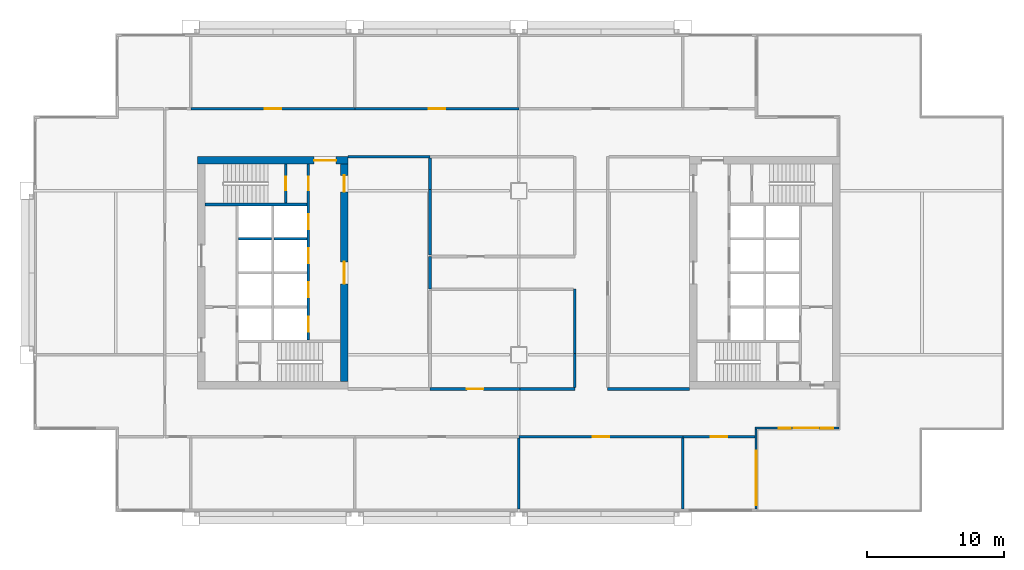
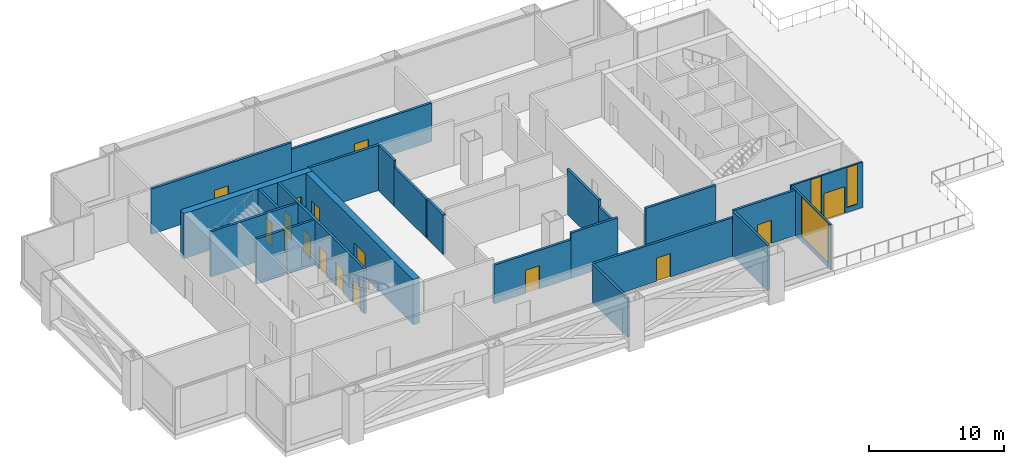
# One storey, part 3 of 6: 24 walls, 15 doors, 3 windows, 18 openings.
"""IFC4 building model written with IfcOpenShell, lengths in metres."""

from ifc_helpers import new_model, si_unit, direction, frame, frame_2d, origin, place, context, subcontext, project, spatial, rectangle, extrude, material, layer, layer_set, type_object, element, fill, save


model = new_model("IFC4")

# Units and contexts
model_context = context("Model", 3, precision=1e-05, world=origin(), true_north=direction((0.0, 1.0)))
body_context = subcontext(model_context, "Body", "Model", "MODEL_VIEW")
ifc_project = project(units=[si_unit("LENGTHUNIT", "METRE"), si_unit("AREAUNIT", "SQUARE_METRE"), si_unit("VOLUMEUNIT", "CUBIC_METRE"), si_unit("PLANEANGLEUNIT", "RADIAN"), si_unit("MASSUNIT", "GRAM", prefix="KILO")], contexts=[model_context])

# Site, building, storey
site_placement = place(None, origin())
site = spatial("IfcSite", under=ifc_project, at=site_placement, CompositionType="ELEMENT")
building_placement = place(site_placement, origin())
building = spatial("IfcBuilding", under=site, at=building_placement, Name="Kitamizu Gate Tower and Museum", CompositionType="ELEMENT")
storey_placement = place(building_placement, frame((0.0, 0.0, 153.75)))
storey = spatial("IfcBuildingStorey", under=building, at=storey_placement, Name="L40", CompositionType="ELEMENT", Elevation=153.75)

# Wall, opening, door
ifc_material_1 = material(Name="Concrete Fc42", Category="concrete")
ifc_layer_1 = layer(ifc_material_1, 0.550048828125)
ifc_layer_set_1 = layer_set([ifc_layer_1], Name="Concrete Fc42")
wall_type_1 = type_object("IfcWallType", Name="Core wall 550", PredefinedType="SHEAR", material=ifc_layer_set_1)
wall_1_placement = place(storey_placement, frame((12.5, 38.22509765625, 0.0), z_axis=(0.0, 0.0, 1.0), x_axis=(1.0, 0.0, 0.0)))
wall_1 = element("IfcWall", 1, at=wall_1_placement, inside=storey, type_object=wall_type_1, Name="Core wall WN", PredefinedType="SHEAR", context=body_context, shape_type="SweptSolid", body=[
    extrude(rectangle(XDim=11.0, YDim=0.550048828125, at=frame_2d((5.5, 0.0))), origin(), (0.0, 0.0, 1.0), 4.10009765625),
])
opening_1_placement = place(wall_1_placement, frame((8.52490234375, 0.0, 0.0)))
opening_1 = element("IfcOpeningElement", 2, at=opening_1_placement, cuts=wall_1, Name="Opening L40-025", PredefinedType="OPENING", context=body_context, shape_type="SweptSolid", body=[
    extrude(rectangle(XDim=1.60009765625, YDim=2.10009765625, at=frame_2d((0.800048828125, 1.050048828125))), frame((0.0, 0.28515625, 0.0), z_axis=(0.0, -1.0, 0.0), x_axis=(1.0, 0.0, 0.0)), (0.0, 0.0, 1.0), 0.570068359375),
])
ifc_material_2 = material(Name="Timber door set", Category="wood")
door_type_1 = type_object("IfcDoorType", Name="Entrance door 1600", OperationType="DOUBLE_DOOR_SINGLE_SWING", PredefinedType="DOOR", material=ifc_material_2)
door_1_placement = place(opening_1_placement, origin())
door_1 = element("IfcDoor", 3, at=door_1_placement, inside=storey, type_object=door_type_1, Name="Lobby door L40-025", OperationType="DOUBLE_DOOR_SINGLE_SWING", OverallHeight=2.10009765625, OverallWidth=1.60009765625, PredefinedType="DOOR", context=body_context, shape_type="SweptSolid", body=[
    extrude(rectangle(XDim=1.60009765625, YDim=2.10009765625, at=frame_2d((0.800048828125, 1.050048828125))), frame((0.0, 0.02490234375, 0.0), z_axis=(0.0, -1.0, 0.0), x_axis=(1.0, 0.0, 0.0)), (0.0, 0.0, 1.0), 0.050048828125),
])
fill(opening_1, door_1)

# Wall, openings, doors
wall_2_placement = place(storey_placement, frame((23.22509765625, 22.050048828125, 0.0), z_axis=(0.0, 0.0, 1.0), x_axis=(0.0, 1.0, 0.0)))
wall_2 = element("IfcWall", 4, at=wall_2_placement, inside=storey, type_object=wall_type_1, Name="Core wall WARC", PredefinedType="SHEAR", context=body_context, shape_type="SweptSolid", body=[
    extrude(rectangle(XDim=15.89990234375, YDim=0.550048828125, at=frame_2d((7.949951171875, 0.0))), origin(), (0.0, 0.0, 1.0), 4.10009765625),
])
opening_2_placement = place(wall_2_placement, frame((7.14990234375, 0.0, 0.0)))
opening_2 = element("IfcOpeningElement", 5, at=opening_2_placement, cuts=wall_2, Name="Opening L40-026", PredefinedType="OPENING", context=body_context, shape_type="SweptSolid", body=[
    extrude(rectangle(XDim=1.60009765625, YDim=2.10009765625, at=frame_2d((0.800048828125, 1.050048828125))), frame((0.0, 0.28515625, 0.0), z_axis=(0.0, -1.0, 0.0), x_axis=(1.0, 0.0, 0.0)), (0.0, 0.0, 1.0), 0.570068359375),
])
opening_3_placement = place(wall_2_placement, frame((13.875, 0.0, 0.0)))
opening_3 = element("IfcOpeningElement", 6, at=opening_3_placement, cuts=wall_2, Name="Opening L40-027", PredefinedType="OPENING", context=body_context, shape_type="SweptSolid", body=[
    extrude(rectangle(XDim=1.199951171875, YDim=2.10009765625, at=frame_2d((0.60009765625, 1.050048828125))), frame((0.0, 0.28515625, 0.0), z_axis=(0.0, -1.0, 0.0), x_axis=(1.0, 0.0, 0.0)), (0.0, 0.0, 1.0), 0.570068359375),
])
door_2_placement = place(opening_2_placement, origin())
door_2 = element("IfcDoor", 7, at=door_2_placement, inside=storey, type_object=door_type_1, Name="Lobby door L40-026", OperationType="DOUBLE_DOOR_SINGLE_SWING", OverallHeight=2.10009765625, OverallWidth=1.60009765625, PredefinedType="DOOR", context=body_context, shape_type="SweptSolid", body=[
    extrude(rectangle(XDim=1.60009765625, YDim=2.10009765625, at=frame_2d((0.800048828125, 1.050048828125))), frame((0.0, 0.02490234375, 0.0), z_axis=(0.0, -1.0, 0.0), x_axis=(1.0, 0.0, 0.0)), (0.0, 0.0, 1.0), 0.050048828125),
])
fill(opening_2, door_2)
ifc_material_3 = material(Name="Timber door set", Category="wood")
door_type_2 = type_object("IfcDoorType", Name="Refuge door 1200", OperationType="NOTDEFINED", PredefinedType="DOOR", material=ifc_material_3)
door_3_placement = place(opening_3_placement, frame((1.199951171875, 0.0, 0.0), x_axis=(-1.0, 0.0, 0.0)))
door_3 = element("IfcDoor", 8, at=door_3_placement, inside=storey, type_object=door_type_2, Name="Refuge door L40-027", OperationType="SINGLE_SWING_RIGHT", OverallHeight=2.10009765625, OverallWidth=1.199951171875, PredefinedType="DOOR", context=body_context, shape_type="SweptSolid", body=[
    extrude(rectangle(XDim=1.199951171875, YDim=2.10009765625, at=frame_2d((0.60009765625, 1.050048828125))), frame((0.0, 0.02490234375, 0.0), z_axis=(0.0, -1.0, 0.0), x_axis=(1.0, 0.0, 0.0)), (0.0, 0.0, 1.0), 0.050048828125),
])
fill(opening_3, door_3)

# Walls
ifc_material_4 = material(Name="Gypsum board on galvanised stud")
ifc_layer_2 = layer(ifc_material_4, 0.199951171875)
ifc_layer_set_2 = layer_set([ifc_layer_2], Name="Gypsum board on galvanised stud")
wall_type_2 = type_object("IfcWallType", Name="Partition 200", PredefinedType="PARTITIONING", material=ifc_layer_set_2)
wall_3_placement = place(storey_placement, frame((29.5, 38.5, 0.0), z_axis=(0.0, 0.0, 1.0), x_axis=(-1.0, 0.0, 0.0)))
element("IfcWall", 9, at=wall_3_placement, inside=storey, type_object=wall_type_2, Name="Partition L40-002", PredefinedType="PARTITIONING", context=body_context, shape_type="SweptSolid", body=[
    extrude(rectangle(XDim=6.0, YDim=0.199951171875, at=frame_2d((3.0, 0.0))), origin(), (0.0, 0.0, 1.0), 4.10009765625),
])
wall_4_placement = place(storey_placement, frame((29.5, 28.800048828125, 0.0), z_axis=(0.0, 0.0, 1.0), x_axis=(0.0, 1.0, 0.0)))
element("IfcWall", 10, at=wall_4_placement, inside=storey, type_object=wall_type_2, Name="Partition L40-003", PredefinedType="PARTITIONING", context=body_context, shape_type="SweptSolid", body=[
    extrude(rectangle(XDim=2.39990234375, YDim=0.199951171875, at=frame_2d((1.199951171875, 0.0))), origin(), (0.0, 0.0, 1.0), 3.60009765625),
])
wall_5_placement = place(storey_placement, frame((48.5, 21.5, 0.0), z_axis=(0.0, 0.0, 1.0), x_axis=(-1.0, 0.0, 0.0)))
element("IfcWall", 11, at=wall_5_placement, inside=storey, type_object=wall_type_2, Name="Partition L40-004", PredefinedType="PARTITIONING", context=body_context, shape_type="SweptSolid", body=[
    extrude(rectangle(XDim=6.0, YDim=0.199951171875, at=frame_2d((3.0, 0.0))), origin(), (0.0, 0.0, 1.0), 4.10009765625),
])

# Wall, opening, door
wall_6_placement = place(storey_placement, frame((36.0, 18.0, 0.0), z_axis=(0.0, 0.0, 1.0), x_axis=(1.0, 0.0, 0.0)))
wall_6 = element("IfcWall", 12, at=wall_6_placement, inside=storey, type_object=wall_type_2, Name="Partition L40-011", PredefinedType="PARTITIONING", context=body_context, shape_type="SweptSolid", body=[
    extrude(rectangle(XDim=12.0, YDim=0.199951171875, at=frame_2d((6.0, 0.0))), origin(), (0.0, 0.0, 1.0), 3.5),
])
opening_4_placement = place(wall_6_placement, frame((5.39990234375, 0.0, 0.0)))
opening_4 = element("IfcOpeningElement", 13, at=opening_4_placement, cuts=wall_6, Name="Opening L40-006", PredefinedType="OPENING", context=body_context, shape_type="SweptSolid", body=[
    extrude(rectangle(XDim=1.199951171875, YDim=2.10009765625, at=frame_2d((0.60009765625, 1.050048828125))), frame((0.0, 0.10986328125, 0.0), z_axis=(0.0, -1.0, 0.0), x_axis=(1.0, 0.0, 0.0)), (0.0, 0.0, 1.0), 0.219970703125),
])
ifc_material_5 = material(Name="Timber door set", Category="wood")
door_type_3 = type_object("IfcDoorType", Name="Plant room door 1200", OperationType="DOUBLE_DOOR_SINGLE_SWING", PredefinedType="DOOR", material=ifc_material_5)
door_4_placement = place(opening_4_placement, origin())
door_4 = element("IfcDoor", 14, at=door_4_placement, inside=storey, type_object=door_type_3, Name="Plant room door L40-006", OperationType="DOUBLE_DOOR_SINGLE_SWING", OverallHeight=2.10009765625, OverallWidth=1.199951171875, PredefinedType="DOOR", context=body_context, shape_type="SweptSolid", body=[
    extrude(rectangle(XDim=1.199951171875, YDim=2.10009765625, at=frame_2d((0.60009765625, 1.050048828125))), frame((0.0, 0.02490234375, 0.0), z_axis=(0.0, -1.0, 0.0), x_axis=(1.0, 0.0, 0.0)), (0.0, 0.0, 1.0), 0.050048828125),
])
fill(opening_4, door_4)

wall_7_placement = place(storey_placement, frame((48.0, 18.0, 0.0), z_axis=(0.0, 0.0, 1.0), x_axis=(1.0, 0.0, 0.0)))
wall_7 = element("IfcWall", 15, at=wall_7_placement, inside=storey, type_object=wall_type_2, Name="Partition L40-012", PredefinedType="PARTITIONING", context=body_context, shape_type="SweptSolid", body=[
    extrude(rectangle(XDim=5.280029296875, YDim=0.199951171875, at=frame_2d((2.64013671875, 0.0))), origin(), (0.0, 0.0, 1.0), 4.10009765625),
])
opening_5_placement = place(wall_7_placement, frame((2.0400390625, 0.0, 0.0)))
opening_5 = element("IfcOpeningElement", 16, at=opening_5_placement, cuts=wall_7, Name="Opening L40-007", PredefinedType="OPENING", context=body_context, shape_type="SweptSolid", body=[
    extrude(rectangle(XDim=1.199951171875, YDim=2.10009765625, at=frame_2d((0.60009765625, 1.050048828125))), frame((0.0, 0.10986328125, 0.0), z_axis=(0.0, -1.0, 0.0), x_axis=(1.0, 0.0, 0.0)), (0.0, 0.0, 1.0), 0.219970703125),
])
door_5_placement = place(opening_5_placement, origin())
door_5 = element("IfcDoor", 17, at=door_5_placement, inside=storey, type_object=door_type_3, Name="Plant room door L40-007", OperationType="DOUBLE_DOOR_SINGLE_SWING", OverallHeight=2.10009765625, OverallWidth=1.199951171875, PredefinedType="DOOR", context=body_context, shape_type="SweptSolid", body=[
    extrude(rectangle(XDim=1.199951171875, YDim=2.10009765625, at=frame_2d((0.60009765625, 1.050048828125))), frame((0.0, 0.02490234375, 0.0), z_axis=(0.0, -1.0, 0.0), x_axis=(1.0, 0.0, 0.0)), (0.0, 0.0, 1.0), 0.050048828125),
])
fill(opening_5, door_5)

wall_8_placement = place(storey_placement, frame((24.0, 42.0, 0.0), z_axis=(0.0, 0.0, 1.0), x_axis=(-1.0, 0.0, 0.0)))
wall_8 = element("IfcWall", 18, at=wall_8_placement, inside=storey, type_object=wall_type_2, Name="Partition L40-014", PredefinedType="PARTITIONING", context=body_context, shape_type="SweptSolid", body=[
    extrude(rectangle(XDim=12.0, YDim=0.199951171875, at=frame_2d((6.0, 0.0))), origin(), (0.0, 0.0, 1.0), 4.10009765625),
])
opening_6_placement = place(wall_8_placement, frame((5.39990234375, 0.0, 0.0)))
opening_6 = element("IfcOpeningElement", 19, at=opening_6_placement, cuts=wall_8, Name="Opening L40-009", PredefinedType="OPENING", context=body_context, shape_type="SweptSolid", body=[
    extrude(rectangle(XDim=1.199951171875, YDim=2.10009765625, at=frame_2d((0.60009765625, 1.050048828125))), frame((0.0, 0.10986328125, 0.0), z_axis=(0.0, -1.0, 0.0), x_axis=(1.0, 0.0, 0.0)), (0.0, 0.0, 1.0), 0.219970703125),
])
door_6_placement = place(opening_6_placement, origin())
door_6 = element("IfcDoor", 20, at=door_6_placement, inside=storey, type_object=door_type_3, Name="Plant room door L40-009", OperationType="DOUBLE_DOOR_SINGLE_SWING", OverallHeight=2.10009765625, OverallWidth=1.199951171875, PredefinedType="DOOR", context=body_context, shape_type="SweptSolid", body=[
    extrude(rectangle(XDim=1.199951171875, YDim=2.10009765625, at=frame_2d((0.60009765625, 1.050048828125))), frame((0.0, 0.02490234375, 0.0), z_axis=(0.0, -1.0, 0.0), x_axis=(1.0, 0.0, 0.0)), (0.0, 0.0, 1.0), 0.050048828125),
])
fill(opening_6, door_6)

wall_9_placement = place(storey_placement, frame((36.0, 42.0, 0.0), z_axis=(0.0, 0.0, 1.0), x_axis=(-1.0, 0.0, 0.0)))
wall_9 = element("IfcWall", 21, at=wall_9_placement, inside=storey, type_object=wall_type_2, Name="Partition L40-015", PredefinedType="PARTITIONING", context=body_context, shape_type="SweptSolid", body=[
    extrude(rectangle(XDim=12.0, YDim=0.199951171875, at=frame_2d((6.0, 0.0))), origin(), (0.0, 0.0, 1.0), 3.5),
])
opening_7_placement = place(wall_9_placement, frame((5.39990234375, 0.0, 0.0)))
opening_7 = element("IfcOpeningElement", 22, at=opening_7_placement, cuts=wall_9, Name="Opening L40-010", PredefinedType="OPENING", context=body_context, shape_type="SweptSolid", body=[
    extrude(rectangle(XDim=1.199951171875, YDim=2.10009765625, at=frame_2d((0.60009765625, 1.050048828125))), frame((0.0, 0.10986328125, 0.0), z_axis=(0.0, -1.0, 0.0), x_axis=(1.0, 0.0, 0.0)), (0.0, 0.0, 1.0), 0.219970703125),
])
door_7_placement = place(opening_7_placement, origin())
door_7 = element("IfcDoor", 23, at=door_7_placement, inside=storey, type_object=door_type_3, Name="Plant room door L40-010", OperationType="DOUBLE_DOOR_SINGLE_SWING", OverallHeight=2.10009765625, OverallWidth=1.199951171875, PredefinedType="DOOR", context=body_context, shape_type="SweptSolid", body=[
    extrude(rectangle(XDim=1.199951171875, YDim=2.10009765625, at=frame_2d((0.60009765625, 1.050048828125))), frame((0.0, 0.02490234375, 0.0), z_axis=(0.0, -1.0, 0.0), x_axis=(1.0, 0.0, 0.0)), (0.0, 0.0, 1.0), 0.050048828125),
])
fill(opening_7, door_7)

wall_10_placement = place(storey_placement, frame((29.5, 21.5, 0.0), z_axis=(0.0, 0.0, 1.0), x_axis=(1.0, 0.0, 0.0)))
wall_10 = element("IfcWall", 24, at=wall_10_placement, inside=storey, type_object=wall_type_2, Name="Partition L40-020", PredefinedType="PARTITIONING", context=body_context, shape_type="SweptSolid", body=[
    extrude(rectangle(XDim=6.60009765625, YDim=0.199951171875, at=frame_2d((3.300048828125, 0.0))), origin(), (0.0, 0.0, 1.0), 3.5),
])
opening_8_placement = place(wall_10_placement, frame((2.699951171875, 0.0, 0.0)))
opening_8 = element("IfcOpeningElement", 25, at=opening_8_placement, cuts=wall_10, Name="Opening L40-015", PredefinedType="OPENING", context=body_context, shape_type="SweptSolid", body=[
    extrude(rectangle(XDim=1.199951171875, YDim=2.10009765625, at=frame_2d((0.60009765625, 1.050048828125))), frame((0.0, 0.10986328125, 0.0), z_axis=(0.0, -1.0, 0.0), x_axis=(1.0, 0.0, 0.0)), (0.0, 0.0, 1.0), 0.219970703125),
])
door_8_placement = place(opening_8_placement, origin())
door_8 = element("IfcDoor", 26, at=door_8_placement, inside=storey, type_object=door_type_3, Name="Plant room door L40-015", OperationType="DOUBLE_DOOR_SINGLE_SWING", OverallHeight=2.10009765625, OverallWidth=1.199951171875, PredefinedType="DOOR", context=body_context, shape_type="SweptSolid", body=[
    extrude(rectangle(XDim=1.199951171875, YDim=2.10009765625, at=frame_2d((0.60009765625, 1.050048828125))), frame((0.0, 0.02490234375, 0.0), z_axis=(0.0, -1.0, 0.0), x_axis=(1.0, 0.0, 0.0)), (0.0, 0.0, 1.0), 0.050048828125),
])
fill(opening_8, door_8)

# Walls
wall_11_placement = place(storey_placement, frame((36.10009765625, 21.5, 0.0), z_axis=(0.0, 0.0, 1.0), x_axis=(1.0, 0.0, 0.0)))
element("IfcWall", 27, at=wall_11_placement, inside=storey, type_object=wall_type_2, Name="Partition L40-021", PredefinedType="PARTITIONING", context=body_context, shape_type="SweptSolid", body=[
    extrude(rectangle(XDim=4.0, YDim=0.199951171875, at=frame_2d((2.0, 0.0))), origin(), (0.0, 0.0, 1.0), 4.10009765625),
])
wall_12_placement = place(storey_placement, frame((40.10009765625, 21.60009765625, 0.0), z_axis=(0.0, 0.0, 1.0), x_axis=(0.0, 1.0, 0.0)))
element("IfcWall", 28, at=wall_12_placement, inside=storey, type_object=wall_type_2, Name="Partition L40-022", PredefinedType="PARTITIONING", context=body_context, shape_type="SweptSolid", body=[
    extrude(rectangle(XDim=2.5, YDim=0.199951171875, at=frame_2d((1.25, 0.0))), origin(), (0.0, 0.0, 1.0), 3.5),
])
wall_13_placement = place(storey_placement, frame((40.10009765625, 24.10009765625, 0.0), z_axis=(0.0, 0.0, 1.0), x_axis=(0.0, 1.0, 0.0)))
element("IfcWall", 29, at=wall_13_placement, inside=storey, type_object=wall_type_2, Name="Partition L40-023", PredefinedType="PARTITIONING", context=body_context, shape_type="SweptSolid", body=[
    extrude(rectangle(XDim=4.699951171875, YDim=0.199951171875, at=frame_2d((2.35009765625, 0.0))), origin(), (0.0, 0.0, 1.0), 4.10009765625),
])
wall_14_placement = place(storey_placement, frame((29.5, 31.300048828125, 0.0), z_axis=(0.0, 0.0, 1.0), x_axis=(0.0, 1.0, 0.0)))
element("IfcWall", 30, at=wall_14_placement, inside=storey, type_object=wall_type_2, Name="Partition L40-034", PredefinedType="PARTITIONING", context=body_context, shape_type="SweptSolid", body=[
    extrude(rectangle(XDim=4.800048828125, YDim=0.199951171875, at=frame_2d((2.39990234375, 0.0))), origin(), (0.0, 0.0, 1.0), 3.5),
])
wall_15_placement = place(storey_placement, frame((29.5, 36.10009765625, 0.0), z_axis=(0.0, 0.0, 1.0), x_axis=(0.0, 1.0, 0.0)))
element("IfcWall", 31, at=wall_15_placement, inside=storey, type_object=wall_type_2, Name="Partition L40-035", PredefinedType="PARTITIONING", context=body_context, shape_type="SweptSolid", body=[
    extrude(rectangle(XDim=2.2998046875, YDim=0.199951171875, at=frame_2d((1.14990234375, 0.0))), origin(), (0.0, 0.0, 1.0), 4.10009765625),
])
wall_16_placement = place(storey_placement, frame((36.0, 12.719970703125, 0.0), z_axis=(0.0, 0.0, 1.0), x_axis=(0.0, 1.0, 0.0)))
element("IfcWall", 32, at=wall_16_placement, inside=storey, type_object=wall_type_2, Name="Partition L40-039", PredefinedType="PARTITIONING", context=body_context, shape_type="SweptSolid", body=[
    extrude(rectangle(XDim=5.179931640625, YDim=0.199951171875, at=frame_2d((2.58984375, 0.0))), origin(), (0.0, 0.0, 1.0), 3.5),
])
wall_17_placement = place(storey_placement, frame((48.0, 12.719970703125, 0.0), z_axis=(0.0, 0.0, 1.0), x_axis=(0.0, 1.0, 0.0)))
element("IfcWall", 33, at=wall_17_placement, inside=storey, type_object=wall_type_2, Name="Partition L40-040", PredefinedType="PARTITIONING", context=body_context, shape_type="SweptSolid", body=[
    extrude(rectangle(XDim=5.179931640625, YDim=0.199951171875, at=frame_2d((2.58984375, 0.0))), origin(), (0.0, 0.0, 1.0), 4.10009765625),
])

# Wall, openings, doors
ifc_material_6 = material(Name="Concrete Fc42", Category="concrete")
ifc_layer_3 = layer(ifc_material_6, 0.199951171875)
ifc_layer_set_3 = layer_set([ifc_layer_3], Name="Concrete Fc42")
wall_type_3 = type_object("IfcWallType", Name="Shaft wall 200", PredefinedType="SOLIDWALL", material=ifc_layer_set_3)
wall_18_placement = place(storey_placement, frame((20.60009765625, 25.10009765625, 0.0), z_axis=(0.0, 0.0, 1.0), x_axis=(0.0, 1.0, 0.0)))
wall_18 = element("IfcWall", 34, at=wall_18_placement, inside=storey, type_object=wall_type_3, Name="Shaft wall WEAST", PredefinedType="SOLIDWALL", context=body_context, shape_type="SweptSolid", body=[
    extrude(rectangle(XDim=12.849853515625, YDim=0.199951171875, at=frame_2d((6.4248046875, 0.0))), origin(), (0.0, 0.0, 1.0), 4.10009765625),
])
opening_9_placement = place(wall_18_placement, frame((0.60009765625, 0.0, 0.0)))
opening_9 = element("IfcOpeningElement", 35, at=opening_9_placement, cuts=wall_18, Name="Opening LD", PredefinedType="OPENING", context=body_context, shape_type="SweptSolid", body=[
    extrude(rectangle(XDim=1.10009765625, YDim=2.10009765625, at=frame_2d((0.550048828125, 1.050048828125))), frame((0.0, 0.10986328125, 0.0), z_axis=(0.0, -1.0, 0.0), x_axis=(1.0, 0.0, 0.0)), (0.0, 0.0, 1.0), 0.219970703125),
])
opening_10_placement = place(wall_18_placement, frame((3.10009765625, 0.0, 0.0)))
opening_10 = element("IfcOpeningElement", 36, at=opening_10_placement, cuts=wall_18, Name="Opening LD", PredefinedType="OPENING", context=body_context, shape_type="SweptSolid", body=[
    extrude(rectangle(XDim=1.10009765625, YDim=2.10009765625, at=frame_2d((0.550048828125, 1.050048828125))), frame((0.0, 0.10986328125, 0.0), z_axis=(0.0, -1.0, 0.0), x_axis=(1.0, 0.0, 0.0)), (0.0, 0.0, 1.0), 0.219970703125),
])
opening_11_placement = place(wall_18_placement, frame((5.60009765625, 0.0, 0.0)))
opening_11 = element("IfcOpeningElement", 37, at=opening_11_placement, cuts=wall_18, Name="Opening LD", PredefinedType="OPENING", context=body_context, shape_type="SweptSolid", body=[
    extrude(rectangle(XDim=1.10009765625, YDim=2.10009765625, at=frame_2d((0.550048828125, 1.050048828125))), frame((0.0, 0.10986328125, 0.0), z_axis=(0.0, -1.0, 0.0), x_axis=(1.0, 0.0, 0.0)), (0.0, 0.0, 1.0), 0.219970703125),
])
opening_12_placement = place(wall_18_placement, frame((8.10009765625, 0.0, 0.0)))
opening_12 = element("IfcOpeningElement", 38, at=opening_12_placement, cuts=wall_18, Name="Opening LD", PredefinedType="OPENING", context=body_context, shape_type="SweptSolid", body=[
    extrude(rectangle(XDim=1.10009765625, YDim=2.10009765625, at=frame_2d((0.550048828125, 1.050048828125))), frame((0.0, 0.10986328125, 0.0), z_axis=(0.0, -1.0, 0.0), x_axis=(1.0, 0.0, 0.0)), (0.0, 0.0, 1.0), 0.219970703125),
])
opening_13_placement = place(wall_18_placement, frame((10.925048828125, 0.0, 0.0)))
opening_13 = element("IfcOpeningElement", 39, at=opening_13_placement, cuts=wall_18, Name="Opening L40-019", PredefinedType="OPENING", context=body_context, shape_type="SweptSolid", body=[
    extrude(rectangle(XDim=1.0, YDim=2.10009765625, at=frame_2d((0.5, 1.050048828125))), frame((0.0, 0.10986328125, 0.0), z_axis=(0.0, -1.0, 0.0), x_axis=(1.0, 0.0, 0.0)), (0.0, 0.0, 1.0), 0.219970703125),
])
ifc_material_7 = material(Name="Hollow metal door set")
door_type_4 = type_object("IfcDoorType", Name="Fire door 1000", OperationType="NOTDEFINED", PredefinedType="DOOR", material=ifc_material_7)
door_9_placement = place(opening_13_placement, origin())
door_9 = element("IfcDoor", 40, at=door_9_placement, inside=storey, type_object=door_type_4, Name="Stair lobby door L40-019", OperationType="SINGLE_SWING_LEFT", OverallHeight=2.10009765625, OverallWidth=1.0, PredefinedType="DOOR", context=body_context, shape_type="SweptSolid", body=[
    extrude(rectangle(XDim=1.0, YDim=2.10009765625, at=frame_2d((0.5, 1.050048828125))), frame((0.0, 0.02490234375, 0.0), z_axis=(0.0, -1.0, 0.0), x_axis=(1.0, 0.0, 0.0)), (0.0, 0.0, 1.0), 0.050048828125),
])
fill(opening_13, door_9)
ifc_material_8 = material(Name="Hollow metal door set")
door_type_5 = type_object("IfcDoorType", Name="Landing door 1100", OperationType="SLIDING_TO_LEFT", PredefinedType="DOOR", material=ifc_material_8)
door_10_placement = place(opening_9_placement, origin())
door_10 = element("IfcDoor", 41, at=door_10_placement, inside=storey, type_object=door_type_5, Name="Landing door WSV1", OperationType="SLIDING_TO_LEFT", OverallHeight=2.10009765625, OverallWidth=1.10009765625, PredefinedType="DOOR", context=body_context, shape_type="SweptSolid", body=[
    extrude(rectangle(XDim=1.10009765625, YDim=2.10009765625, at=frame_2d((0.550048828125, 1.050048828125))), frame((0.0, 0.02490234375, 0.0), z_axis=(0.0, -1.0, 0.0), x_axis=(1.0, 0.0, 0.0)), (0.0, 0.0, 1.0), 0.050048828125),
])
fill(opening_9, door_10)
door_11_placement = place(opening_10_placement, origin())
door_11 = element("IfcDoor", 42, at=door_11_placement, inside=storey, type_object=door_type_5, Name="Landing door WH1", OperationType="SLIDING_TO_LEFT", OverallHeight=2.10009765625, OverallWidth=1.10009765625, PredefinedType="DOOR", context=body_context, shape_type="SweptSolid", body=[
    extrude(rectangle(XDim=1.10009765625, YDim=2.10009765625, at=frame_2d((0.550048828125, 1.050048828125))), frame((0.0, 0.02490234375, 0.0), z_axis=(0.0, -1.0, 0.0), x_axis=(1.0, 0.0, 0.0)), (0.0, 0.0, 1.0), 0.050048828125),
])
fill(opening_10, door_11)
door_12_placement = place(opening_11_placement, origin())
door_12 = element("IfcDoor", 43, at=door_12_placement, inside=storey, type_object=door_type_5, Name="Landing door WH2", OperationType="SLIDING_TO_LEFT", OverallHeight=2.10009765625, OverallWidth=1.10009765625, PredefinedType="DOOR", context=body_context, shape_type="SweptSolid", body=[
    extrude(rectangle(XDim=1.10009765625, YDim=2.10009765625, at=frame_2d((0.550048828125, 1.050048828125))), frame((0.0, 0.02490234375, 0.0), z_axis=(0.0, -1.0, 0.0), x_axis=(1.0, 0.0, 0.0)), (0.0, 0.0, 1.0), 0.050048828125),
])
fill(opening_11, door_12)
door_13_placement = place(opening_12_placement, origin())
door_13 = element("IfcDoor", 44, at=door_13_placement, inside=storey, type_object=door_type_5, Name="Landing door WH3", OperationType="SLIDING_TO_LEFT", OverallHeight=2.10009765625, OverallWidth=1.10009765625, PredefinedType="DOOR", context=body_context, shape_type="SweptSolid", body=[
    extrude(rectangle(XDim=1.10009765625, YDim=2.10009765625, at=frame_2d((0.550048828125, 1.050048828125))), frame((0.0, 0.02490234375, 0.0), z_axis=(0.0, -1.0, 0.0), x_axis=(1.0, 0.0, 0.0)), (0.0, 0.0, 1.0), 0.050048828125),
])
fill(opening_12, door_13)

# Wall
wall_19_placement = place(storey_placement, frame((13.050048828125, 35.0, 0.0), z_axis=(0.0, 0.0, 1.0), x_axis=(1.0, 0.0, 0.0)))
element("IfcWall", 45, at=wall_19_placement, inside=storey, type_object=wall_type_3, Name="Shaft wall WNB", PredefinedType="SOLIDWALL", context=body_context, shape_type="SweptSolid", body=[
    extrude(rectangle(XDim=7.449951171875, YDim=0.199951171875, at=frame_2d((3.72509765625, 0.0))), origin(), (0.0, 0.0, 1.0), 4.10009765625),
])

# Wall, opening, door
wall_20_placement = place(storey_placement, frame((18.949951171875, 35.10009765625, 0.0), z_axis=(0.0, 0.0, 1.0), x_axis=(0.0, 1.0, 0.0)))
wall_20 = element("IfcWall", 46, at=wall_20_placement, inside=storey, type_object=wall_type_3, Name="Shaft wall WNZ", PredefinedType="SOLIDWALL", context=body_context, shape_type="SweptSolid", body=[
    extrude(rectangle(XDim=2.849853515625, YDim=0.199951171875, at=frame_2d((1.4248046875, 0.0))), origin(), (0.0, 0.0, 1.0), 4.10009765625),
])
opening_14_placement = place(wall_20_placement, frame((0.925048828125, 0.0, 0.0)))
opening_14 = element("IfcOpeningElement", 47, at=opening_14_placement, cuts=wall_20, Name="Opening L40-020", PredefinedType="OPENING", context=body_context, shape_type="SweptSolid", body=[
    extrude(rectangle(XDim=1.0, YDim=2.10009765625, at=frame_2d((0.5, 1.050048828125))), frame((0.0, 0.10986328125, 0.0), z_axis=(0.0, -1.0, 0.0), x_axis=(1.0, 0.0, 0.0)), (0.0, 0.0, 1.0), 0.219970703125),
])
door_14_placement = place(opening_14_placement, origin())
door_14 = element("IfcDoor", 48, at=door_14_placement, inside=storey, type_object=door_type_4, Name="Stair door L40-020", OperationType="SINGLE_SWING_RIGHT", OverallHeight=2.10009765625, OverallWidth=1.0, PredefinedType="DOOR", context=body_context, shape_type="SweptSolid", body=[
    extrude(rectangle(XDim=1.0, YDim=2.10009765625, at=frame_2d((0.5, 1.050048828125))), frame((0.0, 0.02490234375, 0.0), z_axis=(0.0, -1.0, 0.0), x_axis=(1.0, 0.0, 0.0)), (0.0, 0.0, 1.0), 0.050048828125),
])
fill(opening_14, door_14)

# Walls
for number, where, z_axis, x_axis, name in (
    (49, (15.5, 32.5, 0.0), (0.0, 0.0, 1.0), (1.0, 0.0, 0.0), "Shaft wall WDVW2"),
    (50, (18.10009765625, 32.5, 0.0), (0.0, 0.0, 1.0), (1.0, 0.0, 0.0), "Shaft wall WDVE2"),
):
    element("IfcWall", number, at=place(storey_placement, frame(where, z_axis=z_axis, x_axis=x_axis)), inside=storey, type_object=wall_type_3, Name=name, PredefinedType="SOLIDWALL", context=body_context, shape_type="SweptSolid", body=[
        extrude(rectangle(XDim=2.39990234375, YDim=0.199951171875, at=frame_2d((1.199951171875, 0.0))), origin(), (0.0, 0.0, 1.0), 4.10009765625),
    ])

# Wall, opening, window
ifc_material_9 = material(Name="Bronze anodised aluminium frame with insulated spandrel and tinted glass", Category="aluminium")
ifc_layer_4 = layer(ifc_material_9, 0.14990234375)
ifc_layer_set_4 = layer_set([ifc_layer_4], Name="Bronze anodised aluminium frame with insulated spandrel and tinted glass")
wall_type_4 = type_object("IfcWallType", Name="WINDOW WALL 150 BRONZE FRAME EI 60", PredefinedType="ELEMENTEDWALL", material=ifc_layer_set_4)
wall_21_placement = place(storey_placement, frame((53.364990234375, 12.7099609375, 0.0), z_axis=(0.0, 0.0, 1.0), x_axis=(0.0, 1.0, 0.0)))
wall_21 = element("IfcWall", 51, at=wall_21_placement, inside=storey, type_object=wall_type_4, Name="Window wall east L40", PredefinedType="ELEMENTEDWALL", context=body_context, shape_type="SweptSolid", body=[
    extrude(rectangle(XDim=5.85009765625, YDim=0.14990234375, at=frame_2d((2.925048828125, 0.0))), origin(), (0.0, 0.0, 1.0), 4.10009765625),
])
opening_15_placement = place(wall_21_placement, frame((0.2900390625, 0.0, 0.449951171875)))
opening_15 = element("IfcOpeningElement", 52, at=opening_15_placement, cuts=wall_21, Name="Opening W18", PredefinedType="OPENING", context=body_context, shape_type="SweptSolid", body=[
    extrude(rectangle(XDim=4.0, YDim=3.60009765625, at=frame_2d((2.0, 1.800048828125))), frame((0.0, 0.0849609375, 0.0), z_axis=(0.0, -1.0, 0.0), x_axis=(1.0, 0.0, 0.0)), (0.0, 0.0, 1.0), 0.169921875),
])
ifc_material_10 = material(Name="Bronze anodised aluminium frame, tinted triple glazing", Category="aluminium")
window_type_1 = type_object("IfcWindowType", Name="WINDOW 4000 x 3600 SILL 450", PartitioningType="SINGLE_PANEL", PredefinedType="WINDOW", material=ifc_material_10)
window_1_placement = place(opening_15_placement, origin())
window_1 = element("IfcWindow", 53, at=window_1_placement, inside=storey, type_object=window_type_1, Name="Window W18 L40", OverallHeight=3.60009765625, OverallWidth=4.0, PartitioningType="SINGLE_PANEL", PredefinedType="WINDOW", context=body_context, shape_type="SweptSolid", body=[
    extrude(rectangle(XDim=4.0, YDim=3.60009765625, at=frame_2d((2.0, 1.800048828125))), frame((0.0, 0.030029296875, 0.0), z_axis=(0.0, -1.0, 0.0), x_axis=(1.0, 0.0, 0.0)), (0.0, 0.0, 1.0), 0.06005859375),
])
fill(opening_15, window_1)

# Wall, openings, door, windows
wall_22_placement = place(storey_placement, frame((53.2900390625, 18.635009765625, 0.0), z_axis=(0.0, 0.0, 1.0), x_axis=(1.0, 0.0, 0.0)))
wall_22 = element("IfcWall", 54, at=wall_22_placement, inside=storey, type_object=wall_type_4, Name="Window wall south L40", PredefinedType="ELEMENTEDWALL", context=body_context, shape_type="SweptSolid", body=[
    extrude(rectangle(XDim=6.14990234375, YDim=0.14990234375, at=frame_2d((3.074951171875, 0.0))), origin(), (0.0, 0.0, 1.0), 4.10009765625),
])
opening_16_placement = place(wall_22_placement, frame((1.7099609375, 0.0, 0.449951171875)))
opening_16 = element("IfcOpeningElement", 55, at=opening_16_placement, cuts=wall_22, Name="Opening W23", PredefinedType="OPENING", context=body_context, shape_type="SweptSolid", body=[
    extrude(rectangle(XDim=0.89990234375, YDim=3.60009765625, at=frame_2d((0.449951171875, 1.800048828125))), frame((0.0, 0.0849609375, 0.0), z_axis=(0.0, -1.0, 0.0), x_axis=(1.0, 0.0, 0.0)), (0.0, 0.0, 1.0), 0.169921875),
])
opening_17_placement = place(wall_22_placement, frame((4.81005859375, 0.0, 0.449951171875)))
opening_17 = element("IfcOpeningElement", 56, at=opening_17_placement, cuts=wall_22, Name="Opening W23", PredefinedType="OPENING", context=body_context, shape_type="SweptSolid", body=[
    extrude(rectangle(XDim=0.89990234375, YDim=3.60009765625, at=frame_2d((0.449951171875, 1.800048828125))), frame((0.0, 0.0849609375, 0.0), z_axis=(0.0, -1.0, 0.0), x_axis=(1.0, 0.0, 0.0)), (0.0, 0.0, 1.0), 0.169921875),
])
opening_18_placement = place(wall_22_placement, frame((2.81005859375, 0.0, 0.0)))
opening_18 = element("IfcOpeningElement", 57, at=opening_18_placement, cuts=wall_22, Name="Opening L40-901", PredefinedType="OPENING", context=body_context, shape_type="SweptSolid", body=[
    extrude(rectangle(XDim=1.800048828125, YDim=2.39990234375, at=frame_2d((0.89990234375, 1.199951171875))), frame((0.0, 0.0849609375, 0.0), z_axis=(0.0, -1.0, 0.0), x_axis=(1.0, 0.0, 0.0)), (0.0, 0.0, 1.0), 0.169921875),
])
ifc_material_11 = material(Name="Bronze anodised aluminium frame, tinted toughened glass", Category="aluminium")
door_type_6 = type_object("IfcDoorType", Name="TERRACE DOOR 1800 x 2400 FIRE RATED", OperationType="DOUBLE_DOOR_SINGLE_SWING", PredefinedType="DOOR", material=ifc_material_11)
door_15_placement = place(opening_18_placement, frame((1.800048828125, 0.0, 0.0), x_axis=(-1.0, 0.0, 0.0)))
door_15 = element("IfcDoor", 58, at=door_15_placement, inside=storey, type_object=door_type_6, Name="Terrace door L40-901", OperationType="DOUBLE_DOOR_SINGLE_SWING", OverallHeight=2.39990234375, OverallWidth=1.800048828125, PredefinedType="DOOR", context=body_context, shape_type="SweptSolid", body=[
    extrude(rectangle(XDim=1.800048828125, YDim=2.39990234375, at=frame_2d((0.89990234375, 1.199951171875))), frame((0.0, 0.02490234375, 0.0), z_axis=(0.0, -1.0, 0.0), x_axis=(1.0, 0.0, 0.0)), (0.0, 0.0, 1.0), 0.050048828125),
])
fill(opening_18, door_15)
ifc_material_12 = material(Name="Bronze anodised aluminium frame, tinted triple glazing", Category="aluminium")
window_type_2 = type_object("IfcWindowType", Name="WINDOW 900 x 3600 SILL 450", PartitioningType="SINGLE_PANEL", PredefinedType="WINDOW", material=ifc_material_12)
window_2_placement = place(opening_16_placement, origin())
window_2 = element("IfcWindow", 59, at=window_2_placement, inside=storey, type_object=window_type_2, Name="Window W23 L40", OverallHeight=3.60009765625, OverallWidth=0.89990234375, PartitioningType="SINGLE_PANEL", PredefinedType="WINDOW", context=body_context, shape_type="SweptSolid", body=[
    extrude(rectangle(XDim=0.89990234375, YDim=3.60009765625, at=frame_2d((0.449951171875, 1.800048828125))), frame((0.0, 0.030029296875, 0.0), z_axis=(0.0, -1.0, 0.0), x_axis=(1.0, 0.0, 0.0)), (0.0, 0.0, 1.0), 0.06005859375),
])
fill(opening_16, window_2)
window_3_placement = place(opening_17_placement, origin())
window_3 = element("IfcWindow", 60, at=window_3_placement, inside=storey, type_object=window_type_2, Name="Window W23 L40", OverallHeight=3.60009765625, OverallWidth=0.89990234375, PartitioningType="SINGLE_PANEL", PredefinedType="WINDOW", context=body_context, shape_type="SweptSolid", body=[
    extrude(rectangle(XDim=0.89990234375, YDim=3.60009765625, at=frame_2d((0.449951171875, 1.800048828125))), frame((0.0, 0.030029296875, 0.0), z_axis=(0.0, -1.0, 0.0), x_axis=(1.0, 0.0, 0.0)), (0.0, 0.0, 1.0), 0.06005859375),
])
fill(opening_17, window_3)

save(model, "model.ifc")
